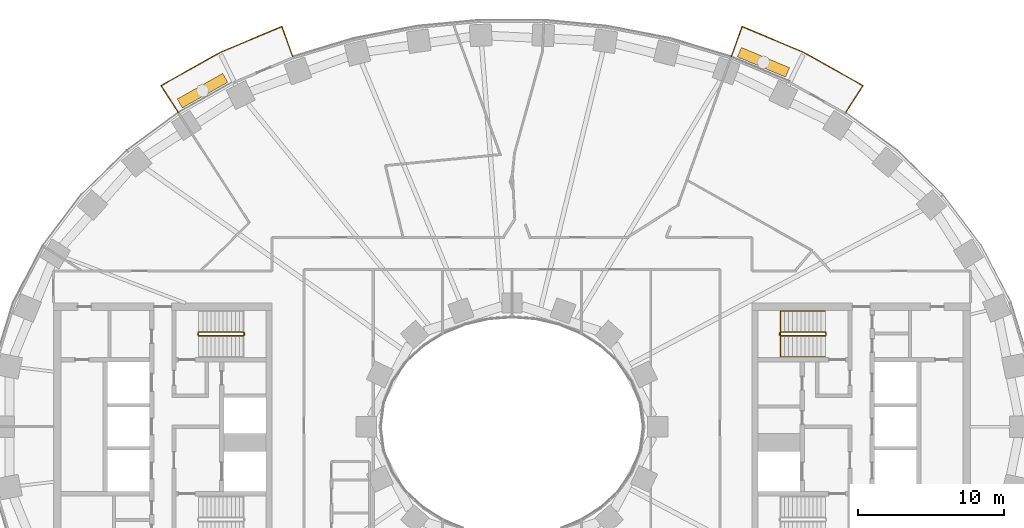
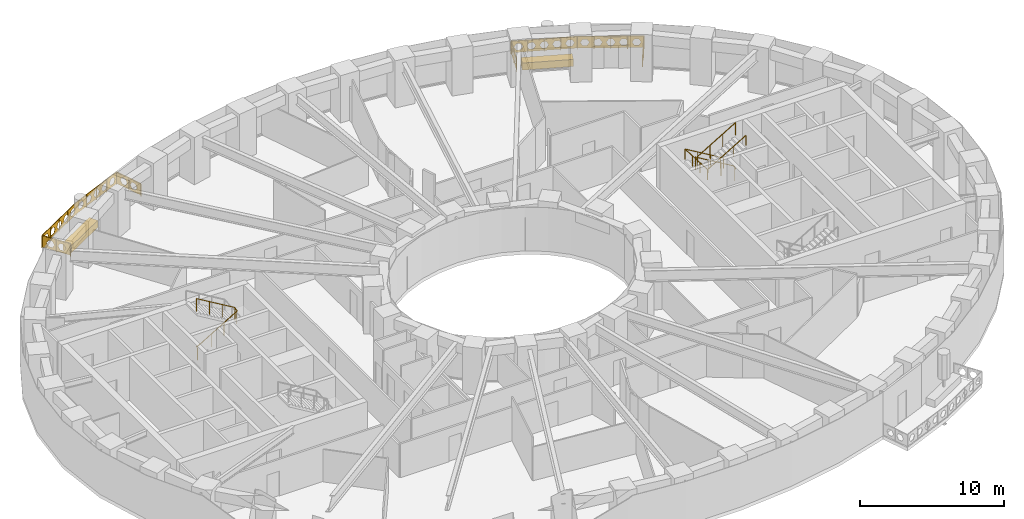
# One storey, part 14 of 15: 5 railings, 2 coverings.
"""IFC4 building model written with IfcOpenShell, lengths in metres."""

from ifc_helpers import new_model, si_unit, direction, frame, origin, origin_2d, place, context, subcontext, project, spatial, polyline, rectangle, outline, extrude, material, type_object, element, save


model = new_model("IFC4")

# Units and contexts
model_context = context("Model", 3, precision=1e-05, world=origin(), true_north=direction((0.0, 1.0)))
body_context = subcontext(model_context, "Body", "Model", "MODEL_VIEW")
ifc_project = project(units=[si_unit("LENGTHUNIT", "METRE"), si_unit("AREAUNIT", "SQUARE_METRE"), si_unit("VOLUMEUNIT", "CUBIC_METRE"), si_unit("PLANEANGLEUNIT", "RADIAN"), si_unit("MASSUNIT", "GRAM", prefix="KILO")], contexts=[model_context])

# Site, building, storey
site_placement = place(None, origin())
site = spatial("IfcSite", under=ifc_project, at=site_placement, CompositionType="ELEMENT")
building_placement = place(site_placement, origin())
building = spatial("IfcBuilding", under=site, at=building_placement, Name="Noorbagh Ring Tower", CompositionType="ELEMENT")
storey_placement = place(building_placement, frame((0.0, 0.0, 50.5)))
storey = spatial("IfcBuildingStorey", under=building, at=storey_placement, Name="L10", CompositionType="ELEMENT", Elevation=50.5)

# Railings
ifc_material_1 = material(Name="Stainless steel", Category="steel")
railing_type_1 = type_object("IfcRailingType", Name="CORE-STAIR-GUARD", PredefinedType="GUARDRAIL", material=ifc_material_1)
railing_1_placement = place(storey_placement, frame((-21.580078125, 6.300048828125, 0.0)))
element("IfcRailing", 1, at=railing_1_placement, inside=storey, type_object=railing_type_1, Name="L10 ST1 stair guard", PredefinedType="GUARDRAIL", context=body_context, shape_type="SweptSolid", body=[
    extrude(rectangle(XDim=0.048095703125, YDim=0.048095703125, at=origin_2d()), frame((0.0, 0.0, 1.076171875), z_axis=(0.0, 1.0, 0.0), x_axis=(-1.0, 0.0, 0.0)), (0.0, 0.0, 1.0), 0.14990234375),
    extrude(rectangle(XDim=0.048095703125, YDim=0.048095703125, at=origin_2d()), frame((0.0, 0.14990234375, 1.076171875), z_axis=(0.188775798145, -0.754182335027, 0.628945707965), x_axis=(0.970072785993, 0.242814311512, 0.0)), (0.0, 0.0, 1.0), 0.26513671875),
    extrude(rectangle(XDim=0.048095703125, YDim=0.048095703125, at=origin_2d()), frame((0.050048828125, -0.050048828125, 1.24267578125), z_axis=(0.859308565015, 0.0, 0.511457515432), x_axis=(0.0, 1.0, 0.0)), (0.0, 0.0, 1.0), 3.58447265625),
    extrude(rectangle(XDim=0.048095703125, YDim=0.048095703125, at=origin_2d()), frame((3.130126953125, -0.050048828125, 3.076171875), z_axis=(0.707106781187, 0.707106781187, 0.0), x_axis=(-0.707106781187, 0.707106781187, 0.0)), (0.0, 0.0, 1.0), 0.07080078125),
    extrude(rectangle(XDim=0.048095703125, YDim=0.048095703125, at=origin_2d()), frame((3.18017578125, 0.0, 3.076171875), z_axis=(0.0, 1.0, 0.0), x_axis=(-1.0, 0.0, 0.0)), (0.0, 0.0, 1.0), 0.14990234375),
    extrude(rectangle(XDim=0.048095703125, YDim=0.048095703125, at=origin_2d()), frame((3.18017578125, 0.14990234375, 3.076171875), z_axis=(-0.27628659633, 0.27628659633, 0.920506074601), x_axis=(-0.707106781187, -0.707106781187, 0.0)), (0.0, 0.0, 1.0), 0.18115234375),
    extrude(rectangle(XDim=0.048095703125, YDim=0.048095703125, at=origin_2d()), frame((3.130126953125, 0.199951171875, 3.24267578125), z_axis=(-0.859308565015, 0.0, 0.511457515432), x_axis=(0.0, -1.0, 0.0)), (0.0, 0.0, 1.0), 3.58447265625),
    extrude(rectangle(XDim=0.0419921875, YDim=0.0419921875, at=origin_2d()), origin(), (0.0, 0.0, 1.0), 1.052001953125),
    extrude(rectangle(XDim=0.0419921875, YDim=0.0419921875, at=origin_2d()), frame((1.07666015625, -0.050048828125, 0.77783203125)), (0.0, 0.0, 1.0), 1.052001953125),
    extrude(rectangle(XDim=0.0419921875, YDim=0.0419921875, at=origin_2d()), frame((2.103515625, -0.050048828125, 1.388916015625)), (0.0, 0.0, 1.0), 1.052001953125),
    extrude(rectangle(XDim=0.0419921875, YDim=0.0419921875, at=origin_2d()), frame((3.130126953125, -0.050048828125, 2.0)), (0.0, 0.0, 1.0), 1.052001953125),
    extrude(rectangle(XDim=0.0419921875, YDim=0.0419921875, at=origin_2d()), frame((3.130126953125, 0.199951171875, 2.166748046875)), (0.0, 0.0, 1.0), 1.052001953125),
    extrude(rectangle(XDim=0.0419921875, YDim=0.0419921875, at=origin_2d()), frame((2.103515625, 0.199951171875, 2.77783203125)), (0.0, 0.0, 1.0), 1.052001953125),
    extrude(rectangle(XDim=0.0419921875, YDim=0.0419921875, at=origin_2d()), frame((1.07666015625, 0.199951171875, 3.388916015625)), (0.0, 0.0, 1.0), 1.052001953125),
    extrude(rectangle(XDim=0.0419921875, YDim=0.0419921875, at=origin_2d()), frame((0.050048828125, 0.199951171875, 4.0)), (0.0, 0.0, 1.0), 1.052001953125),
])
railing_2_placement = place(storey_placement, frame((21.580078125, 6.449951171875, 0.0)))
element("IfcRailing", 2, at=railing_2_placement, inside=storey, type_object=railing_type_1, Name="L10 ST3 stair guard", PredefinedType="GUARDRAIL", context=body_context, shape_type="SweptSolid", body=[
    extrude(rectangle(XDim=0.048095703125, YDim=0.048095703125, at=origin_2d()), frame((0.0, 0.0, 1.076171875), z_axis=(0.0, -1.0, 0.0), x_axis=(1.0, 0.0, 0.0)), (0.0, 0.0, 1.0), 0.14990234375),
    extrude(rectangle(XDim=0.048095703125, YDim=0.048095703125, at=origin_2d()), frame((0.0, -0.14990234375, 1.076171875), z_axis=(-0.188775798145, 0.754182335027, 0.628945707965), x_axis=(-0.970072785993, -0.242814311512, 0.0)), (0.0, 0.0, 1.0), 0.26513671875),
    extrude(rectangle(XDim=0.048095703125, YDim=0.048095703125, at=origin_2d()), frame((-0.050048828125, 0.050048828125, 1.24267578125), z_axis=(-0.859308565015, 0.0, 0.511457515432), x_axis=(0.0, -1.0, 0.0)), (0.0, 0.0, 1.0), 3.58447265625),
    extrude(rectangle(XDim=0.048095703125, YDim=0.048095703125, at=origin_2d()), frame((-3.130126953125, 0.050048828125, 3.076171875), z_axis=(-0.707106781187, -0.707106781187, 0.0), x_axis=(0.707106781187, -0.707106781187, 0.0)), (0.0, 0.0, 1.0), 0.07080078125),
    extrude(rectangle(XDim=0.048095703125, YDim=0.048095703125, at=origin_2d()), frame((-3.18017578125, 0.0, 3.076171875), z_axis=(0.0, -1.0, 0.0), x_axis=(1.0, 0.0, 0.0)), (0.0, 0.0, 1.0), 0.14990234375),
    extrude(rectangle(XDim=0.048095703125, YDim=0.048095703125, at=origin_2d()), frame((-3.18017578125, -0.14990234375, 3.076171875), z_axis=(0.27628659633, -0.27628659633, 0.920506074601), x_axis=(0.707106781187, 0.707106781187, 0.0)), (0.0, 0.0, 1.0), 0.18115234375),
    extrude(rectangle(XDim=0.048095703125, YDim=0.048095703125, at=origin_2d()), frame((-3.130126953125, -0.199951171875, 3.24267578125), z_axis=(0.859308565015, 0.0, 0.511457515432), x_axis=(0.0, 1.0, 0.0)), (0.0, 0.0, 1.0), 3.58447265625),
    extrude(rectangle(XDim=0.0419921875, YDim=0.0419921875, at=origin_2d()), origin(), (0.0, 0.0, 1.0), 1.052001953125),
    extrude(rectangle(XDim=0.0419921875, YDim=0.0419921875, at=origin_2d()), frame((-1.07666015625, 0.050048828125, 0.77783203125)), (0.0, 0.0, 1.0), 1.052001953125),
    extrude(rectangle(XDim=0.0419921875, YDim=0.0419921875, at=origin_2d()), frame((-2.103515625, 0.050048828125, 1.388916015625)), (0.0, 0.0, 1.0), 1.052001953125),
    extrude(rectangle(XDim=0.0419921875, YDim=0.0419921875, at=origin_2d()), frame((-3.130126953125, 0.050048828125, 2.0)), (0.0, 0.0, 1.0), 1.052001953125),
    extrude(rectangle(XDim=0.0419921875, YDim=0.0419921875, at=origin_2d()), frame((-3.130126953125, -0.199951171875, 2.166748046875)), (0.0, 0.0, 1.0), 1.052001953125),
    extrude(rectangle(XDim=0.0419921875, YDim=0.0419921875, at=origin_2d()), frame((-2.103515625, -0.199951171875, 2.77783203125)), (0.0, 0.0, 1.0), 1.052001953125),
    extrude(rectangle(XDim=0.0419921875, YDim=0.0419921875, at=origin_2d()), frame((-1.07666015625, -0.199951171875, 3.388916015625)), (0.0, 0.0, 1.0), 1.052001953125),
    extrude(rectangle(XDim=0.0419921875, YDim=0.0419921875, at=origin_2d()), frame((-0.050048828125, -0.199951171875, 4.0)), (0.0, 0.0, 1.0), 1.052001953125),
])
ifc_material_2 = material(Name="Stainless steel", Category="steel")
railing_type_2 = type_object("IfcRailingType", Name="CORE-STAIR-HANDRAIL", PredefinedType="HANDRAIL", material=ifc_material_2)
railing_3_placement = place(storey_placement, frame((21.530029296875, 7.949951171875, 0.166748046875)))
element("IfcRailing", 3, at=railing_3_placement, inside=storey, type_object=railing_type_2, Name="L10 ST3 stair handrail", PredefinedType="HANDRAIL", context=body_context, shape_type="SweptSolid", body=[
    extrude(rectangle(XDim=0.048095703125, YDim=0.048095703125, at=origin_2d()), frame((0.0, 0.0, 0.8759765625), z_axis=(-0.859308565015, 0.0, 0.511457515432), x_axis=(0.0, -1.0, 0.0)), (0.0, 0.0, 1.0), 3.58447265625),
    extrude(rectangle(XDim=0.048095703125, YDim=0.048095703125, at=origin_2d()), frame((-3.080078125, 0.0, 2.708984375), z_axis=(0.0, -0.998601747152, 0.052863509014), x_axis=(1.0, 0.0, 0.0)), (0.0, 0.0, 1.0), 3.154296875),
    extrude(rectangle(XDim=0.048095703125, YDim=0.048095703125, at=origin_2d()), frame((-3.080078125, -3.14990234375, 2.8759765625), z_axis=(0.859308565015, 0.0, 0.511457515432), x_axis=(0.0, 1.0, 0.0)), (0.0, 0.0, 1.0), 3.58447265625),
    extrude(rectangle(XDim=0.0419921875, YDim=0.0419921875, at=origin_2d()), origin(), (0.0, 0.0, 1.0), 0.851806640625),
    extrude(rectangle(XDim=0.0419921875, YDim=0.0419921875, at=origin_2d()), frame((-1.026611328125, 0.0, 0.611083984375)), (0.0, 0.0, 1.0), 0.851806640625),
    extrude(rectangle(XDim=0.0419921875, YDim=0.0419921875, at=origin_2d()), frame((-2.053466796875, 0.0, 1.22216796875)), (0.0, 0.0, 1.0), 0.851806640625),
    extrude(rectangle(XDim=0.0419921875, YDim=0.0419921875, at=origin_2d()), frame((-3.080078125, 0.0, 1.833251953125)), (0.0, 0.0, 1.0), 0.851806640625),
    extrude(rectangle(XDim=0.0419921875, YDim=0.0419921875, at=origin_2d()), frame((-3.080078125, -1.050048828125, 1.888916015625)), (0.0, 0.0, 1.0), 0.851806640625),
    extrude(rectangle(XDim=0.0419921875, YDim=0.0419921875, at=origin_2d()), frame((-3.080078125, -2.099853515625, 1.9443359375)), (0.0, 0.0, 1.0), 0.851806640625),
    extrude(rectangle(XDim=0.0419921875, YDim=0.0419921875, at=origin_2d()), frame((-3.080078125, -3.14990234375, 2.0)), (0.0, 0.0, 1.0), 0.851806640625),
    extrude(rectangle(XDim=0.0419921875, YDim=0.0419921875, at=origin_2d()), frame((-2.053466796875, -3.14990234375, 2.611083984375)), (0.0, 0.0, 1.0), 0.851806640625),
    extrude(rectangle(XDim=0.0419921875, YDim=0.0419921875, at=origin_2d()), frame((-1.026611328125, -3.14990234375, 3.22216796875)), (0.0, 0.0, 1.0), 0.851806640625),
    extrude(rectangle(XDim=0.0419921875, YDim=0.0419921875, at=origin_2d()), frame((0.0, -3.14990234375, 3.833251953125)), (0.0, 0.0, 1.0), 0.851806640625),
])
ifc_material_3 = material(Name="Steel S275 black powder-coated", Category="steel")
railing_type_3 = type_object("IfcRailingType", Name="ENV-GUARD", PredefinedType="GUARDRAIL", material=ifc_material_3)
railing_4_placement = place(storey_placement, frame((22.9326171875, 21.583740234375, 0.0)))
element("IfcRailing", 4, at=railing_4_placement, inside=storey, type_object=railing_type_3, Name="Balcony guard BN02", PredefinedType="GUARDRAIL", context=body_context, shape_type="SweptSolid", body=[
    extrude(rectangle(XDim=0.048095703125, YDim=0.048095703125, at=origin_2d()), frame((0.0, 0.0, 1.076171875), z_axis=(0.542268136821, 0.840205491406, 0.0), x_axis=(-0.840205491406, 0.542268136821, 0.0)), (0.0, 0.0, 1.0), 2.204345703125),
    extrude(rectangle(XDim=0.048095703125, YDim=0.048095703125, at=origin_2d()), frame((1.1953125, 1.85205078125, 1.076171875), z_axis=(-0.872052247658, 0.489412788303, 0.0), x_axis=(-0.489412788303, -0.872052247658, 0.0)), (0.0, 0.0, 1.0), 4.646240234375),
    extrude(rectangle(XDim=0.048095703125, YDim=0.048095703125, at=origin_2d()), frame((-2.8564453125, 4.1259765625, 1.076171875), z_axis=(-0.921809087722, 0.387644174203, 0.0), x_axis=(-0.387644174203, -0.921809087722, 0.0)), (0.0, 0.0, 1.0), 4.627197265625),
    extrude(rectangle(XDim=0.048095703125, YDim=0.048095703125, at=origin_2d()), frame((-7.121826171875, 5.919677734375, 1.076171875), z_axis=(-0.338350546839, -0.941020141896, 0.0), x_axis=(0.941020141896, -0.338350546839, 0.0)), (0.0, 0.0, 1.0), 2.202880859375),
    extrude(rectangle(XDim=0.0419921875, YDim=0.0419921875, at=origin_2d()), origin(), (0.0, 0.0, 1.0), 1.052001953125),
    extrude(rectangle(XDim=0.0419921875, YDim=0.0419921875, at=origin_2d()), frame((0.59765625, 0.926025390625, 0.0)), (0.0, 0.0, 1.0), 1.052001953125),
    extrude(rectangle(XDim=0.0419921875, YDim=0.0419921875, at=origin_2d()), frame((1.1953125, 1.85205078125, 0.0)), (0.0, 0.0, 1.0), 1.052001953125),
    extrude(rectangle(XDim=0.0419921875, YDim=0.0419921875, at=origin_2d()), frame((0.182373046875, 2.42041015625, 0.0)), (0.0, 0.0, 1.0), 1.052001953125),
    extrude(rectangle(XDim=0.0419921875, YDim=0.0419921875, at=origin_2d()), frame((-0.83056640625, 2.989013671875, 0.0)), (0.0, 0.0, 1.0), 1.052001953125),
    extrude(rectangle(XDim=0.0419921875, YDim=0.0419921875, at=origin_2d()), frame((-1.843505859375, 3.5576171875, 0.0)), (0.0, 0.0, 1.0), 1.052001953125),
    extrude(rectangle(XDim=0.0419921875, YDim=0.0419921875, at=origin_2d()), frame((-2.8564453125, 4.1259765625, 0.0)), (0.0, 0.0, 1.0), 1.052001953125),
    extrude(rectangle(XDim=0.0419921875, YDim=0.0419921875, at=origin_2d()), frame((-3.9228515625, 4.574462890625, 0.0)), (0.0, 0.0, 1.0), 1.052001953125),
    extrude(rectangle(XDim=0.0419921875, YDim=0.0419921875, at=origin_2d()), frame((-4.9892578125, 5.02294921875, 0.0)), (0.0, 0.0, 1.0), 1.052001953125),
    extrude(rectangle(XDim=0.0419921875, YDim=0.0419921875, at=origin_2d()), frame((-6.055419921875, 5.47119140625, 0.0)), (0.0, 0.0, 1.0), 1.052001953125),
    extrude(rectangle(XDim=0.0419921875, YDim=0.0419921875, at=origin_2d()), frame((-7.121826171875, 5.919677734375, 0.0)), (0.0, 0.0, 1.0), 1.052001953125),
    extrude(rectangle(XDim=0.0419921875, YDim=0.0419921875, at=origin_2d()), frame((-7.49462890625, 4.88330078125, 0.0)), (0.0, 0.0, 1.0), 1.052001953125),
    extrude(rectangle(XDim=0.0419921875, YDim=0.0419921875, at=origin_2d()), frame((-7.8671875, 3.8466796875, 0.0)), (0.0, 0.0, 1.0), 1.052001953125),
    extrude(outline(polyline([(0.0, 0.10009765625), (2.204345703125, 0.10009765625), (2.204345703125, 1.031982421875), (0.0, 1.031982421875), (0.0, 0.10009765625)]), holes=[polyline([(0.962158203125, 0.56591796875), (0.80712890625, 0.83447265625), (0.4970703125, 0.83447265625), (0.342041015625, 0.56591796875), (0.4970703125, 0.297607421875), (0.80712890625, 0.297607421875), (0.962158203125, 0.56591796875)]), polyline([(1.862060546875, 0.56591796875), (1.70703125, 0.83447265625), (1.397216796875, 0.83447265625), (1.2421875, 0.56591796875), (1.397216796875, 0.297607421875), (1.70703125, 0.297607421875), (1.862060546875, 0.56591796875)])]), frame((-0.00830078125, 0.00537109375, 0.0), z_axis=(0.840205491406, -0.542268136821, 0.0), x_axis=(0.542268136821, 0.840205491406, 0.0)), (0.0, 0.0, 1.0), 0.02001953125),
    extrude(outline(polyline([(0.0, 0.10009765625), (4.646240234375, 0.10009765625), (4.646240234375, 1.031982421875), (0.0, 1.031982421875), (0.0, 0.10009765625)]), holes=[polyline([(0.8330078125, 0.56591796875), (0.67822265625, 0.83447265625), (0.3681640625, 0.83447265625), (0.213134765625, 0.56591796875), (0.3681640625, 0.297607421875), (0.67822265625, 0.297607421875), (0.8330078125, 0.56591796875)]), polyline([(1.733154296875, 0.56591796875), (1.578125, 0.83447265625), (1.26806640625, 0.83447265625), (1.113037109375, 0.56591796875), (1.26806640625, 0.297607421875), (1.578125, 0.297607421875), (1.733154296875, 0.56591796875)]), polyline([(2.633056640625, 0.56591796875), (2.47802734375, 0.83447265625), (2.168212890625, 0.83447265625), (2.01318359375, 0.56591796875), (2.168212890625, 0.297607421875), (2.47802734375, 0.297607421875), (2.633056640625, 0.56591796875)]), polyline([(3.533203125, 0.56591796875), (3.378173828125, 0.83447265625), (3.068115234375, 0.83447265625), (2.9130859375, 0.56591796875), (3.068115234375, 0.297607421875), (3.378173828125, 0.297607421875), (3.533203125, 0.56591796875)]), polyline([(4.43310546875, 0.56591796875), (4.278076171875, 0.83447265625), (3.968017578125, 0.83447265625), (3.813232421875, 0.56591796875), (3.968017578125, 0.297607421875), (4.278076171875, 0.297607421875), (4.43310546875, 0.56591796875)])]), frame((1.1904296875, 1.84326171875, 0.0), z_axis=(0.489412788303, 0.872052247658, 0.0), x_axis=(-0.872052247658, 0.489412788303, 0.0)), (0.0, 0.0, 1.0), 0.02001953125),
    extrude(outline(polyline([(0.0, 0.10009765625), (4.627197265625, 0.10009765625), (4.627197265625, 1.031982421875), (0.0, 1.031982421875), (0.0, 0.10009765625)]), holes=[polyline([(0.823486328125, 0.56591796875), (0.668701171875, 0.83447265625), (0.358642578125, 0.83447265625), (0.20361328125, 0.56591796875), (0.358642578125, 0.297607421875), (0.668701171875, 0.297607421875), (0.823486328125, 0.56591796875)]), polyline([(1.7236328125, 0.56591796875), (1.568603515625, 0.83447265625), (1.258544921875, 0.83447265625), (1.103515625, 0.56591796875), (1.258544921875, 0.297607421875), (1.568603515625, 0.297607421875), (1.7236328125, 0.56591796875)]), polyline([(2.62353515625, 0.56591796875), (2.468505859375, 0.83447265625), (2.15869140625, 0.83447265625), (2.003662109375, 0.56591796875), (2.15869140625, 0.297607421875), (2.468505859375, 0.297607421875), (2.62353515625, 0.56591796875)]), polyline([(3.523681640625, 0.56591796875), (3.36865234375, 0.83447265625), (3.05859375, 0.83447265625), (2.903564453125, 0.56591796875), (3.05859375, 0.297607421875), (3.36865234375, 0.297607421875), (3.523681640625, 0.56591796875)]), polyline([(4.423583984375, 0.56591796875), (4.2685546875, 0.83447265625), (3.95849609375, 0.83447265625), (3.8037109375, 0.56591796875), (3.95849609375, 0.297607421875), (4.2685546875, 0.297607421875), (4.423583984375, 0.56591796875)])]), frame((-2.8603515625, 4.11669921875, 0.0), z_axis=(0.387644174203, 0.921809087722, 0.0), x_axis=(-0.921809087722, 0.387644174203, 0.0)), (0.0, 0.0, 1.0), 0.02001953125),
    extrude(outline(polyline([(0.0, 0.10009765625), (2.202880859375, 0.10009765625), (2.202880859375, 1.031982421875), (0.0, 1.031982421875), (0.0, 0.10009765625)]), holes=[polyline([(0.96142578125, 0.56591796875), (0.806396484375, 0.83447265625), (0.49658203125, 0.83447265625), (0.341552734375, 0.56591796875), (0.49658203125, 0.297607421875), (0.806396484375, 0.297607421875), (0.96142578125, 0.56591796875)]), polyline([(1.861572265625, 0.56591796875), (1.70654296875, 0.83447265625), (1.396484375, 0.83447265625), (1.241455078125, 0.56591796875), (1.396484375, 0.297607421875), (1.70654296875, 0.297607421875), (1.861572265625, 0.56591796875)])]), frame((-7.1123046875, 5.916259765625, 0.0), z_axis=(-0.941020141896, 0.338350546839, 0.0), x_axis=(-0.338350546839, -0.941020141896, 0.0)), (0.0, 0.0, 1.0), 0.02001953125),
])
railing_5_placement = place(storey_placement, frame((-15.0654296875, 25.430419921875, 0.0)))
element("IfcRailing", 5, at=railing_5_placement, inside=storey, type_object=railing_type_3, Name="Balcony guard BN05", PredefinedType="GUARDRAIL", context=body_context, shape_type="SweptSolid", body=[
    extrude(rectangle(XDim=0.048095703125, YDim=0.048095703125, at=origin_2d()), frame((0.0, 0.0, 1.076171875), z_axis=(-0.338350546839, 0.941020141896, 0.0), x_axis=(-0.941020141896, -0.338350546839, 0.0)), (0.0, 0.0, 1.0), 2.202880859375),
    extrude(rectangle(XDim=0.048095703125, YDim=0.048095703125, at=origin_2d()), frame((-0.745361328125, 2.072998046875, 1.076171875), z_axis=(-0.921809087722, -0.387644174203, 0.0), x_axis=(0.387644174203, -0.921809087722, 0.0)), (0.0, 0.0, 1.0), 4.627197265625),
    extrude(rectangle(XDim=0.048095703125, YDim=0.048095703125, at=origin_2d()), frame((-5.0107421875, 0.279296875, 1.076171875), z_axis=(-0.872052247658, -0.489412788303, 0.0), x_axis=(0.489412788303, -0.872052247658, 0.0)), (0.0, 0.0, 1.0), 4.646240234375),
    extrude(rectangle(XDim=0.048095703125, YDim=0.048095703125, at=origin_2d()), frame((-9.0625, -1.99462890625, 1.076171875), z_axis=(0.542268136821, -0.840205491406, 0.0), x_axis=(0.840205491406, 0.542268136821, 0.0)), (0.0, 0.0, 1.0), 2.204345703125),
    extrude(rectangle(XDim=0.0419921875, YDim=0.0419921875, at=origin_2d()), origin(), (0.0, 0.0, 1.0), 1.052001953125),
    extrude(rectangle(XDim=0.0419921875, YDim=0.0419921875, at=origin_2d()), frame((-0.37255859375, 1.03662109375, 0.0)), (0.0, 0.0, 1.0), 1.052001953125),
    extrude(rectangle(XDim=0.0419921875, YDim=0.0419921875, at=origin_2d()), frame((-0.745361328125, 2.072998046875, 0.0)), (0.0, 0.0, 1.0), 1.052001953125),
    extrude(rectangle(XDim=0.0419921875, YDim=0.0419921875, at=origin_2d()), frame((-1.811767578125, 1.62451171875, 0.0)), (0.0, 0.0, 1.0), 1.052001953125),
    extrude(rectangle(XDim=0.0419921875, YDim=0.0419921875, at=origin_2d()), frame((-2.8779296875, 1.17626953125, 0.0)), (0.0, 0.0, 1.0), 1.052001953125),
    extrude(rectangle(XDim=0.0419921875, YDim=0.0419921875, at=origin_2d()), frame((-3.9443359375, 0.727783203125, 0.0)), (0.0, 0.0, 1.0), 1.052001953125),
    extrude(rectangle(XDim=0.0419921875, YDim=0.0419921875, at=origin_2d()), frame((-5.0107421875, 0.279296875, 0.0)), (0.0, 0.0, 1.0), 1.052001953125),
    extrude(rectangle(XDim=0.0419921875, YDim=0.0419921875, at=origin_2d()), frame((-6.023681640625, -0.2890625, 0.0)), (0.0, 0.0, 1.0), 1.052001953125),
    extrude(rectangle(XDim=0.0419921875, YDim=0.0419921875, at=origin_2d()), frame((-7.03662109375, -0.857666015625, 0.0)), (0.0, 0.0, 1.0), 1.052001953125),
    extrude(rectangle(XDim=0.0419921875, YDim=0.0419921875, at=origin_2d()), frame((-8.049560546875, -1.42626953125, 0.0)), (0.0, 0.0, 1.0), 1.052001953125),
    extrude(rectangle(XDim=0.0419921875, YDim=0.0419921875, at=origin_2d()), frame((-9.0625, -1.99462890625, 0.0)), (0.0, 0.0, 1.0), 1.052001953125),
    extrude(rectangle(XDim=0.0419921875, YDim=0.0419921875, at=origin_2d()), frame((-8.46484375, -2.920654296875, 0.0)), (0.0, 0.0, 1.0), 1.052001953125),
    extrude(rectangle(XDim=0.0419921875, YDim=0.0419921875, at=origin_2d()), frame((-7.8671875, -3.8466796875, 0.0)), (0.0, 0.0, 1.0), 1.052001953125),
    extrude(outline(polyline([(0.0, 0.10009765625), (2.202880859375, 0.10009765625), (2.202880859375, 1.031982421875), (0.0, 1.031982421875), (0.0, 0.10009765625)]), holes=[polyline([(0.96142578125, 0.56591796875), (0.806396484375, 0.83447265625), (0.49658203125, 0.83447265625), (0.341552734375, 0.56591796875), (0.49658203125, 0.297607421875), (0.806396484375, 0.297607421875), (0.96142578125, 0.56591796875)]), polyline([(1.861572265625, 0.56591796875), (1.70654296875, 0.83447265625), (1.396484375, 0.83447265625), (1.241455078125, 0.56591796875), (1.396484375, 0.297607421875), (1.70654296875, 0.297607421875), (1.861572265625, 0.56591796875)])]), frame((-0.009521484375, -0.00341796875, 0.0), z_axis=(0.941020141896, 0.338350546839, 0.0), x_axis=(-0.338350546839, 0.941020141896, 0.0)), (0.0, 0.0, 1.0), 0.02001953125),
    extrude(outline(polyline([(0.0, 0.10009765625), (4.627197265625, 0.10009765625), (4.627197265625, 1.031982421875), (0.0, 1.031982421875), (0.0, 0.10009765625)]), holes=[polyline([(0.823486328125, 0.56591796875), (0.668701171875, 0.83447265625), (0.358642578125, 0.83447265625), (0.20361328125, 0.56591796875), (0.358642578125, 0.297607421875), (0.668701171875, 0.297607421875), (0.823486328125, 0.56591796875)]), polyline([(1.7236328125, 0.56591796875), (1.568603515625, 0.83447265625), (1.258544921875, 0.83447265625), (1.103515625, 0.56591796875), (1.258544921875, 0.297607421875), (1.568603515625, 0.297607421875), (1.7236328125, 0.56591796875)]), polyline([(2.62353515625, 0.56591796875), (2.468505859375, 0.83447265625), (2.15869140625, 0.83447265625), (2.003662109375, 0.56591796875), (2.15869140625, 0.297607421875), (2.468505859375, 0.297607421875), (2.62353515625, 0.56591796875)]), polyline([(3.523681640625, 0.56591796875), (3.36865234375, 0.83447265625), (3.05859375, 0.83447265625), (2.903564453125, 0.56591796875), (3.05859375, 0.297607421875), (3.36865234375, 0.297607421875), (3.523681640625, 0.56591796875)]), polyline([(4.423583984375, 0.56591796875), (4.2685546875, 0.83447265625), (3.95849609375, 0.83447265625), (3.8037109375, 0.56591796875), (3.95849609375, 0.297607421875), (4.2685546875, 0.297607421875), (4.423583984375, 0.56591796875)])]), frame((-0.741455078125, 2.063720703125, 0.0), z_axis=(-0.387644174203, 0.921809087722, 0.0), x_axis=(-0.921809087722, -0.387644174203, 0.0)), (0.0, 0.0, 1.0), 0.02001953125),
    extrude(outline(polyline([(0.0, 0.10009765625), (4.646240234375, 0.10009765625), (4.646240234375, 1.031982421875), (0.0, 1.031982421875), (0.0, 0.10009765625)]), holes=[polyline([(0.8330078125, 0.56591796875), (0.67822265625, 0.83447265625), (0.3681640625, 0.83447265625), (0.213134765625, 0.56591796875), (0.3681640625, 0.297607421875), (0.67822265625, 0.297607421875), (0.8330078125, 0.56591796875)]), polyline([(1.733154296875, 0.56591796875), (1.578125, 0.83447265625), (1.26806640625, 0.83447265625), (1.113037109375, 0.56591796875), (1.26806640625, 0.297607421875), (1.578125, 0.297607421875), (1.733154296875, 0.56591796875)]), polyline([(2.633056640625, 0.56591796875), (2.47802734375, 0.83447265625), (2.168212890625, 0.83447265625), (2.01318359375, 0.56591796875), (2.168212890625, 0.297607421875), (2.47802734375, 0.297607421875), (2.633056640625, 0.56591796875)]), polyline([(3.533203125, 0.56591796875), (3.378173828125, 0.83447265625), (3.068115234375, 0.83447265625), (2.9130859375, 0.56591796875), (3.068115234375, 0.297607421875), (3.378173828125, 0.297607421875), (3.533203125, 0.56591796875)]), polyline([(4.43310546875, 0.56591796875), (4.278076171875, 0.83447265625), (3.968017578125, 0.83447265625), (3.813232421875, 0.56591796875), (3.968017578125, 0.297607421875), (4.278076171875, 0.297607421875), (4.43310546875, 0.56591796875)])]), frame((-5.005859375, 0.2705078125, 0.0), z_axis=(-0.489412788303, 0.872052247658, 0.0), x_axis=(-0.872052247658, -0.489412788303, 0.0)), (0.0, 0.0, 1.0), 0.02001953125),
    extrude(outline(polyline([(0.0, 0.10009765625), (2.204345703125, 0.10009765625), (2.204345703125, 1.031982421875), (0.0, 1.031982421875), (0.0, 0.10009765625)]), holes=[polyline([(0.962158203125, 0.56591796875), (0.80712890625, 0.83447265625), (0.4970703125, 0.83447265625), (0.342041015625, 0.56591796875), (0.4970703125, 0.297607421875), (0.80712890625, 0.297607421875), (0.962158203125, 0.56591796875)]), polyline([(1.862060546875, 0.56591796875), (1.70703125, 0.83447265625), (1.397216796875, 0.83447265625), (1.2421875, 0.56591796875), (1.397216796875, 0.297607421875), (1.70703125, 0.297607421875), (1.862060546875, 0.56591796875)])]), frame((-9.05419921875, -1.9892578125, 0.0), z_axis=(-0.840205491406, -0.542268136821, 0.0), x_axis=(0.542268136821, -0.840205491406, 0.0)), (0.0, 0.0, 1.0), 0.02001953125),
])

# Coverings
ifc_material_4 = material(Name="Concrete C30/37 planter with soil", Category="concrete")
covering_type = type_object("IfcCoveringType", Name="ENV-PLANTER", PredefinedType="CLADDING", material=ifc_material_4)
covering_1_placement = place(storey_placement, frame((17.280517578125, 25.041259765625, 0.0), z_axis=(0.0, 0.0, 1.0), x_axis=(-0.921811566494, 0.387638279686, 0.0)))
element("IfcCovering", 6, at=covering_1_placement, inside=storey, type_object=covering_type, Name="PLANTER BN02", ObjectType="PLANTER", PredefinedType="CLADDING", context=body_context, shape_type="SweptSolid", body=[
    extrude(rectangle(XDim=3.5859375, YDim=0.699951171875, at=origin_2d()), origin(), (0.0, 0.0, 1.0), 0.60009765625),
])
covering_2_placement = place(storey_placement, frame((-21.26513671875, 23.093017578125, 0.0), z_axis=(0.0, 0.0, 1.0), x_axis=(-0.872044586249, -0.48942643941, 0.0)))
element("IfcCovering", 7, at=covering_2_placement, inside=storey, type_object=covering_type, Name="PLANTER BN05", ObjectType="PLANTER", PredefinedType="CLADDING", context=body_context, shape_type="SweptSolid", body=[
    extrude(rectangle(XDim=3.58544921875, YDim=0.699951171875, at=origin_2d()), origin(), (0.0, 0.0, 1.0), 0.60009765625),
])

save(model, "model.ifc")
